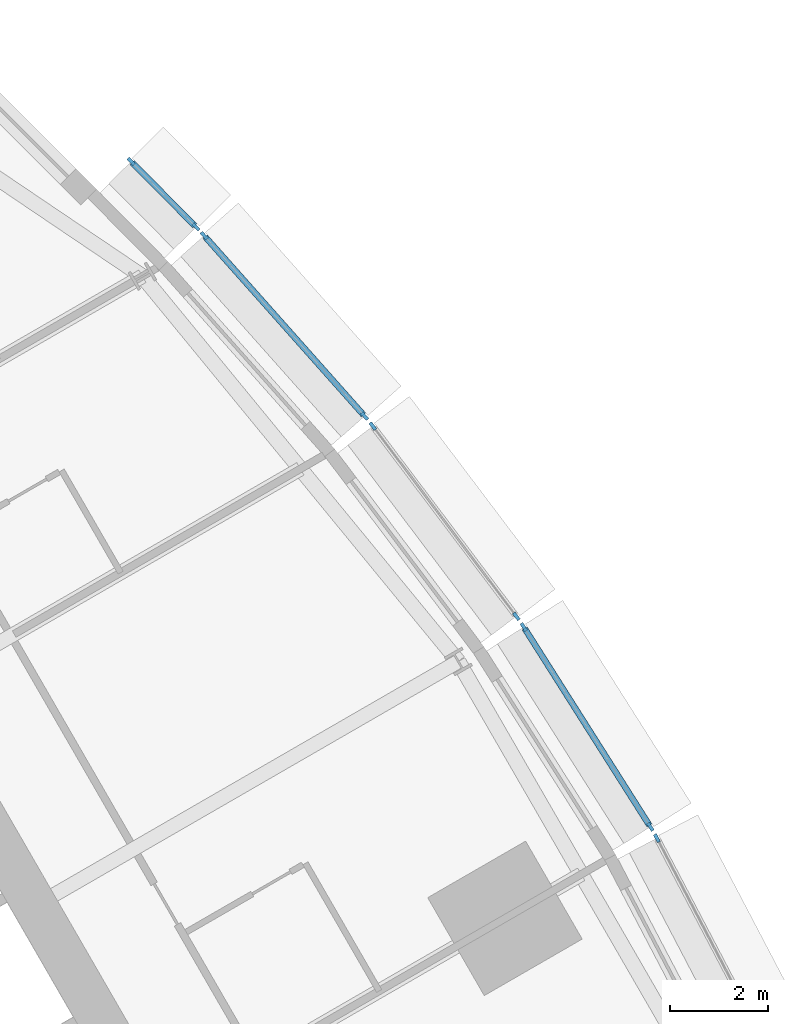
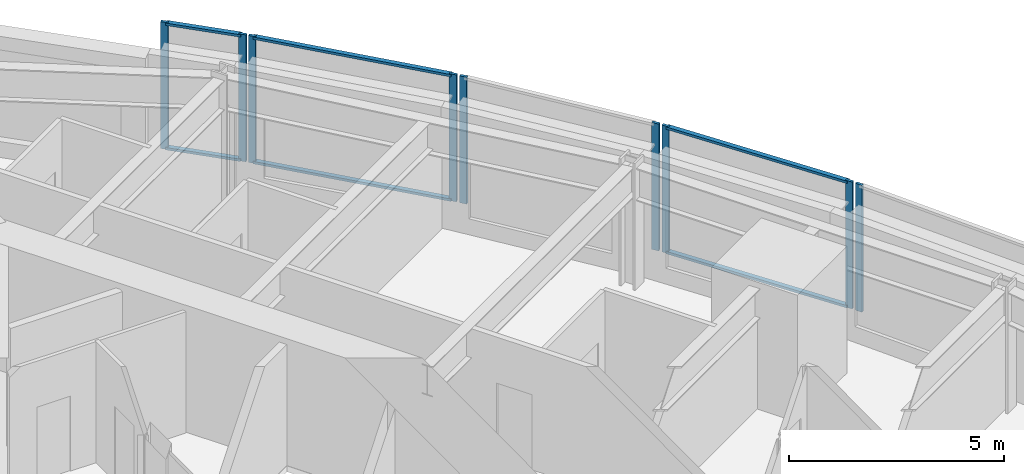
# One storey, part 6 of 15: 15 members, 5 elements without a shape of their own.
"""IFC4 building model written with IfcOpenShell, lengths in metres."""

import ifcopenshell
import ifcopenshell.guid

model = None  # the IFC model being written
_history = None  # IfcOwnerHistory: only IFC2X3 demands one
_inside = {}  # id of a spatial element -> (the spatial element, [elements in it])
_under = {}  # id of a project, library or spatial element -> (it, [spatial elements below it])
_declared = {}  # id of a project -> (the project, [libraries it declares])
_typed = {}  # id of a type object -> (the type object, [elements of that type])
_made_of = {}  # id of a material, layer set ... -> (it, [elements and type objects made of it])


def new_model(schema):
    """Start an empty IFC model of exactly this schema.

    Asked for "IFC4X3", IfcOpenShell would pick the latest addendum, in which some entities
    have other attributes; the version numbers below select the first issue.
    IFC2X3 requires an IfcOwnerHistory on every rooted entity: one is made here for all.
    """
    global model, _history
    if schema == "IFC4X3":
        model = ifcopenshell.file(schema_version=(4, 3, 0, 0))
    else:
        model = ifcopenshell.file(schema=schema)
    _inside.clear()
    _under.clear()
    _declared.clear()
    _typed.clear()
    _made_of.clear()
    _history = None
    if model.schema == "IFC2X3":
        org = make("IfcOrganization", Name="unknown")
        user = make(
            "IfcPersonAndOrganization",
            ThePerson=make("IfcPerson", FamilyName="unknown"),
            TheOrganization=org,
        )
        app = make(
            "IfcApplication",
            ApplicationDeveloper=org,
            Version="unknown",
            ApplicationFullName="unknown",
            ApplicationIdentifier="unknown",
        )
        _history = make(
            "IfcOwnerHistory",
            OwningUser=user,
            OwningApplication=app,
            ChangeAction="ADDED",
            CreationDate=0,
        )
    return model


def make(cls, **values):
    """One entity of the class cls with the attributes given. An attribute that is None is left unset."""
    return model.create_entity(
        cls, **{name: value for name, value in values.items() if value is not None}
    )


def rooted(cls, **values):
    """An entity with a GlobalId (a new one), such as an element, a storey or a relation."""
    return make(cls, GlobalId=ifcopenshell.guid.new(), OwnerHistory=_history, **values)


def si_unit(unit_type, name, prefix=None):
    """IfcSIUnit, for example si_unit("LENGTHUNIT", "METRE", prefix="MILLI")."""
    return make("IfcSIUnit", UnitType=unit_type, Prefix=prefix, Name=name)


def assignment(units):
    """IfcUnitAssignment: the units of a project."""
    return None if units is None else make("IfcUnitAssignment", Units=units)


def point(xyz):
    """IfcCartesianPoint."""
    return None if xyz is None else make("IfcCartesianPoint", Coordinates=xyz)


def direction(xyz):
    """IfcDirection."""
    return None if xyz is None else make("IfcDirection", DirectionRatios=xyz)


def frame(location, z_axis=None, x_axis=None):
    """IfcAxis2Placement3D, a coordinate frame: its origin and axes. An axis left out is left unset."""
    return make(
        "IfcAxis2Placement3D",
        Location=point(location),
        Axis=direction(z_axis),
        RefDirection=direction(x_axis),
    )


def frame_2d(location, x_axis=None):
    """IfcAxis2Placement2D, a coordinate frame in the plane: its origin and x axis."""
    return make(
        "IfcAxis2Placement2D", Location=point(location), RefDirection=direction(x_axis)
    )


def origin():
    """The frame at (0, 0, 0) with its axes left unset."""
    return frame((0.0, 0.0, 0.0))


def origin_2d():
    """The frame at (0, 0) in the plane with its x axis left unset."""
    return frame_2d((0.0, 0.0))


def place(relative_to, where):
    """IfcLocalPlacement: puts the frame where relative to a parent placement (None: the world)."""
    return make(
        "IfcLocalPlacement", PlacementRelTo=relative_to, RelativePlacement=where
    )


def context(
    kind, dimensions, precision=None, world=None, true_north=None, identifier=None
):
    """IfcGeometricRepresentationContext, for example the 3D "Model" context."""
    return make(
        "IfcGeometricRepresentationContext",
        ContextIdentifier=identifier,
        ContextType=kind,
        CoordinateSpaceDimension=dimensions,
        Precision=precision,
        WorldCoordinateSystem=world,
        TrueNorth=true_north,
    )


def subcontext(parent, identifier, kind, view, scale=None):
    """IfcGeometricRepresentationSubContext, for example "Body" below "Model"."""
    return make(
        "IfcGeometricRepresentationSubContext",
        ContextIdentifier=identifier,
        ContextType=kind,
        ParentContext=parent,
        TargetScale=scale,
        TargetView=view,
    )


def project(units=None, contexts=None):
    """IfcProject with its units and contexts."""
    return rooted(
        "IfcProject",
        Name="project",
        RepresentationContexts=contexts,
        UnitsInContext=assignment(units),
    )


def spatial(cls, under=None, at=None, **own):
    """A site, building, storey or space (cls), placed at a placement, below another one or the project."""
    s = rooted(cls, ObjectPlacement=at, **own)
    if under is not None:
        _under.setdefault(under.id(), (under, []))[1].append(s)
    return s


def profile(cls, at=None, kind="AREA", **sizes):
    """A parametric profile (cls). Its sizes go by their IFC names, for example OverallWidth=200.0."""
    return make(cls, ProfileType=kind, Position=at, **sizes)


def rectangle(**sizes):
    """IfcRectangleProfileDef."""
    return profile("IfcRectangleProfileDef", **sizes)


def extrude(swept, where, along, depth):
    """IfcExtrudedAreaSolid: the profile swept, set in the frame where, extruded along a direction by depth."""
    return make(
        "IfcExtrudedAreaSolid",
        SweptArea=swept,
        Position=where,
        ExtrudedDirection=direction(along),
        Depth=depth,
    )


def shape(context_of_items, identifier, shape_type, items):
    """IfcShapeRepresentation: the items that make up one representation, for example the "Body"."""
    return make(
        "IfcShapeRepresentation",
        ContextOfItems=context_of_items,
        RepresentationIdentifier=identifier,
        RepresentationType=shape_type,
        Items=items,
    )


def material(Name=None, Category=None):
    """IfcMaterial."""
    return make("IfcMaterial", Name=Name, Category=Category)


def material_profile(
    of_material, cross_section, Name=None, Category=None, Priority=None
):
    """IfcMaterialProfile: a cross section and its material."""
    return make(
        "IfcMaterialProfile",
        Name=Name,
        Material=of_material,
        Profile=cross_section,
        Priority=Priority,
        Category=Category,
    )


def profile_set(profiles, Name=None, composite=None):
    """IfcMaterialProfileSet."""
    return make(
        "IfcMaterialProfileSet",
        Name=Name,
        MaterialProfiles=profiles,
        CompositeProfile=composite,
    )


def made_of(thing, what):
    """Note that an element or type object is made of a material, layer set ...; save() writes the relation."""
    if what is not None:
        _made_of.setdefault(what.id(), (what, []))[1].append(thing)
    return thing


def type_object(cls, material=None, **own):
    """A type object (cls), such as IfcWallType, which elements share."""
    return made_of(rooted(cls, **own), material)


def element(
    cls,
    number,
    at=None,
    inside=None,
    cuts=None,
    type_object=None,
    material=None,
    context=None,
    identifier="Body",
    shape_type=None,
    held_by="IfcProductDefinitionShape",
    body=None,
    shapes=None,
    **own,
):
    """One element of the class cls, such as IfcWall. Its Tag is "e" and its number.

    at: its placement. inside: the storey or other place that contains it. cuts: it is an
    opening in that element (IfcRelVoidsElement). A single representation is given by context,
    identifier, shape_type and body (its items); several are given by shapes. held_by: the class
    of the entity that holds the representations. save() writes the other relations.
    """
    e = rooted(cls, Tag="e%d" % number, ObjectPlacement=at, **own)
    if body is not None:
        shapes = [shape(context, identifier, shape_type, body)]
    if shapes is not None:
        e.Representation = make(held_by, Representations=shapes)
    if inside is not None:
        _inside.setdefault(inside.id(), (inside, []))[1].append(e)
    if cuts is not None:
        rooted(
            "IfcRelVoidsElement", RelatingBuildingElement=cuts, RelatedOpeningElement=e
        )
    if type_object is not None:
        _typed.setdefault(type_object.id(), (type_object, []))[1].append(e)
    return made_of(e, material)


def aggregate(whole, parts):
    """IfcRelAggregates: a whole, such as a stair, and the parts it consists of."""
    return rooted("IfcRelAggregates", RelatingObject=whole, RelatedObjects=parts)


def save(model, path):
    """Write the relations noted so far, then the file.

    IfcRelAggregates (storeys below a building ...), IfcRelContainedInSpatialStructure (elements
    in a storey), IfcRelDefinesByType, IfcRelAssociatesMaterial and IfcRelDeclares: one each for
    every whole, place, type object, material and project.
    """
    for whole, parts in _under.values():
        aggregate(whole, parts)
    for where, things in _inside.values():
        rooted(
            "IfcRelContainedInSpatialStructure",
            RelatedElements=things,
            RelatingStructure=where,
        )
    for kind, things in _typed.values():
        rooted("IfcRelDefinesByType", RelatedObjects=things, RelatingType=kind)
    for what, things in _made_of.values():
        rooted("IfcRelAssociatesMaterial", RelatedObjects=things, RelatingMaterial=what)
    for by, libraries in _declared.values():
        rooted("IfcRelDeclares", RelatingContext=by, RelatedDefinitions=libraries)
    model.write(path)


model = new_model("IFC4")

# Units and contexts
model_context = context("Model", 3, precision=1e-05, world=origin(), true_north=direction((0.0, 1.0)))
body_context = subcontext(model_context, "Body", "Model", "MODEL_VIEW")
ifc_project = project(units=[si_unit("LENGTHUNIT", "METRE"), si_unit("AREAUNIT", "SQUARE_METRE"), si_unit("VOLUMEUNIT", "CUBIC_METRE"), si_unit("PLANEANGLEUNIT", "RADIAN"), si_unit("MASSUNIT", "GRAM", prefix="KILO")], contexts=[model_context])

# Site, building, storey
site_placement = place(None, origin())
site = spatial("IfcSite", under=ifc_project, at=site_placement, CompositionType="ELEMENT")
building_placement = place(site_placement, origin())
building = spatial("IfcBuilding", under=site, at=building_placement, Name="Trikona Tower", CompositionType="ELEMENT")
storey_placement = place(building_placement, frame((0.0, 0.0, 200.89990234375)))
storey = spatial("IfcBuildingStorey", under=building, at=storey_placement, Name="L53", CompositionType="ELEMENT", Elevation=200.89990234375)

# Curtain wall, member
ifc_material_1 = material(Name="Aluminium curtain wall system", Category="aluminium")
curtain_wall_type = type_object("IfcCurtainWallType", Name="Curtain wall DS3", PredefinedType="NOTDEFINED", material=ifc_material_1)
curtain_wall_1_placement = place(storey_placement, origin())
curtain_wall_1 = element("IfcCurtainWall", 1, at=curtain_wall_1_placement, inside=storey, type_object=curtain_wall_type, Name="Curtain wall DS3 L53", PredefinedType="NOTDEFINED")
ifc_material_2 = material(Name="Aluminium mullion, pale anodised", Category="aluminium")
ifc_material_profile_1 = material_profile(ifc_material_2, rectangle(XDim=0.070068359375, YDim=0.179931640625, at=origin_2d()), Name="MUL-DS3")
ifc_profile_set_1 = profile_set([ifc_material_profile_1], Name="Aluminium mullion, pale anodised")
member_type_1 = type_object("IfcMemberType", Name="Mullion DS3 70x180", PredefinedType="MULLION", material=ifc_profile_set_1)
member_1_placement = place(storey_placement, frame((18.40234375, 10.472412109375, 0.0), z_axis=(0.0, 0.0, 1.0), x_axis=(-0.885862390527, -0.463948084434, 0.0)))
member_1 = element("IfcMember", 2, at=member_1_placement, type_object=member_type_1, Name="CW-DS3 mullion 2", PredefinedType="MULLION", context=body_context, shape_type="SweptSolid", body=[
    extrude(rectangle(XDim=0.070068359375, YDim=0.179931640625, at=origin_2d()), origin(), (0.0, 0.0, 1.0), 3.60009765625),
])
aggregate(curtain_wall_1, [member_1])

# Curtain wall, members
curtain_wall_2_placement = place(storey_placement, origin())
curtain_wall_2 = element("IfcCurtainWall", 3, at=curtain_wall_2_placement, inside=storey, type_object=curtain_wall_type, Name="Curtain wall DS3 L53", PredefinedType="NOTDEFINED")
member_2_placement = place(storey_placement, frame((18.2705078125, 10.700927734375, 0.0), z_axis=(0.0, 0.0, 1.0), x_axis=(-0.844727131858, -0.535197227854, 0.0)))
member_2 = element("IfcMember", 4, at=member_2_placement, type_object=member_type_1, Name="CW-DS3 mullion 1", PredefinedType="MULLION", context=body_context, shape_type="SweptSolid", body=[
    extrude(rectangle(XDim=0.070068359375, YDim=0.179931640625, at=origin_2d()), origin(), (0.0, 0.0, 1.0), 3.60009765625),
])
member_3_placement = place(storey_placement, frame((15.69384765625, 14.767578125, 0.0), z_axis=(0.0, 0.0, 1.0), x_axis=(-0.844727131858, -0.535197227854, 0.0)))
member_3 = element("IfcMember", 5, at=member_3_placement, type_object=member_type_1, Name="CW-DS3 mullion 2", PredefinedType="MULLION", context=body_context, shape_type="SweptSolid", body=[
    extrude(rectangle(XDim=0.070068359375, YDim=0.179931640625, at=origin_2d()), origin(), (0.0, 0.0, 1.0), 3.60009765625),
])

curtain_wall_3_placement = place(storey_placement, origin())
curtain_wall_3 = element("IfcCurtainWall", 6, at=curtain_wall_3_placement, inside=storey, type_object=curtain_wall_type, Name="Curtain wall DS3 L53", PredefinedType="NOTDEFINED")
member_4_placement = place(storey_placement, frame((15.5439453125, 14.984130859375, 0.0), z_axis=(0.0, 0.0, 1.0), x_axis=(-0.798193208724, -0.602401528506, 0.0)))
member_4 = element("IfcMember", 7, at=member_4_placement, type_object=member_type_1, Name="CW-DS3 mullion 1", PredefinedType="MULLION", context=body_context, shape_type="SweptSolid", body=[
    extrude(rectangle(XDim=0.070068359375, YDim=0.179931640625, at=origin_2d()), origin(), (0.0, 0.0, 1.0), 3.60009765625),
])
member_5_placement = place(storey_placement, frame((12.62353515625, 18.853759765625, 0.0), z_axis=(0.0, 0.0, 1.0), x_axis=(-0.798193208724, -0.602401528506, 0.0)))
member_5 = element("IfcMember", 8, at=member_5_placement, type_object=member_type_1, Name="CW-DS3 mullion 2", PredefinedType="MULLION", context=body_context, shape_type="SweptSolid", body=[
    extrude(rectangle(XDim=0.070068359375, YDim=0.179931640625, at=origin_2d()), origin(), (0.0, 0.0, 1.0), 3.60009765625),
])
aggregate(curtain_wall_3, [member_4, member_5])

curtain_wall_4_placement = place(storey_placement, origin())
curtain_wall_4 = element("IfcCurtainWall", 9, at=curtain_wall_4_placement, inside=storey, type_object=curtain_wall_type, Name="Curtain wall DS3 L53", PredefinedType="NOTDEFINED")
member_6_placement = place(storey_placement, frame((12.45751953125, 19.056396484375, 0.0), z_axis=(0.0, 0.0, 1.0), x_axis=(-0.747402677853, -0.664371309689, 0.0)))
member_6 = element("IfcMember", 10, at=member_6_placement, type_object=member_type_1, Name="CW-DS3 mullion 1", PredefinedType="MULLION", context=body_context, shape_type="SweptSolid", body=[
    extrude(rectangle(XDim=0.070068359375, YDim=0.179931640625, at=origin_2d()), origin(), (0.0, 0.0, 1.0), 3.60009765625),
])
member_7_placement = place(storey_placement, frame((9.192138671875, 22.729736328125, 0.0), z_axis=(0.0, 0.0, 1.0), x_axis=(-0.747402677853, -0.664371309689, 0.0)))
member_7 = element("IfcMember", 11, at=member_7_placement, type_object=member_type_1, Name="CW-DS3 mullion 2", PredefinedType="MULLION", context=body_context, shape_type="SweptSolid", body=[
    extrude(rectangle(XDim=0.070068359375, YDim=0.179931640625, at=origin_2d()), origin(), (0.0, 0.0, 1.0), 3.60009765625),
])

curtain_wall_5_placement = place(storey_placement, origin())
curtain_wall_5 = element("IfcCurtainWall", 12, at=curtain_wall_5_placement, inside=storey, type_object=curtain_wall_type, Name="Curtain wall DS3 L53", PredefinedType="NOTDEFINED")
member_8_placement = place(storey_placement, frame((9.028564453125, 22.904052734375, 0.0), z_axis=(0.0, 0.0, 1.0), x_axis=(-0.710051900554, -0.704149343903, 0.0)))
member_8 = element("IfcMember", 13, at=member_8_placement, type_object=member_type_1, Name="CW-DS3 mullion 1", PredefinedType="MULLION", context=body_context, shape_type="SweptSolid", body=[
    extrude(rectangle(XDim=0.070068359375, YDim=0.179931640625, at=origin_2d()), origin(), (0.0, 0.0, 1.0), 3.60009765625),
])
member_9_placement = place(storey_placement, frame((7.7060546875, 24.237548828125, 0.0), z_axis=(0.0, 0.0, 1.0), x_axis=(-0.710051900554, -0.704149343903, 0.0)))
member_9 = element("IfcMember", 14, at=member_9_placement, type_object=member_type_1, Name="CW-DS3 mullion 2", PredefinedType="MULLION", context=body_context, shape_type="SweptSolid", body=[
    extrude(rectangle(XDim=0.070068359375, YDim=0.179931640625, at=origin_2d()), origin(), (0.0, 0.0, 1.0), 3.60009765625),
])

# Member
ifc_material_3 = material(Name="Aluminium transom, pale anodised", Category="aluminium")
ifc_material_profile_2 = material_profile(ifc_material_3, rectangle(XDim=0.1201171875, YDim=0.070068359375, at=origin_2d()), Name="TRN-DS3")
ifc_profile_set_2 = profile_set([ifc_material_profile_2], Name="Aluminium transom, pale anodised")
member_type_2 = type_object("IfcMemberType", Name="Transom DS3 70x120", PredefinedType="USERDEFINED", material=ifc_profile_set_2)
member_10_placement = place(storey_placement, frame((18.251708984375, 10.73046875, 0.03515625), z_axis=(-0.535192866729, 0.844729894938, 0.0), x_axis=(-0.844729894938, -0.535192866729, 0.0)))
member_10 = element("IfcMember", 15, at=member_10_placement, type_object=member_type_2, Name="CW-DS3 transom 1.1", ObjectType="TRANSOM", PredefinedType="USERDEFINED", context=body_context, shape_type="SweptSolid", body=[
    extrude(rectangle(XDim=0.1201171875, YDim=0.070068359375, at=origin_2d()), origin(), (0.0, 0.0, 1.0), 4.744140625),
])

member_11_placement = place(storey_placement, frame((18.251708984375, 10.73046875, 3.565185546875), z_axis=(-0.535192866729, 0.844729894938, 0.0), x_axis=(-0.844729894938, -0.535192866729, 0.0)))
member_11 = element("IfcMember", 16, at=member_11_placement, type_object=member_type_2, Name="CW-DS3 transom 1.2", ObjectType="TRANSOM", PredefinedType="USERDEFINED", context=body_context, shape_type="SweptSolid", body=[
    extrude(rectangle(XDim=0.1201171875, YDim=0.070068359375, at=origin_2d()), origin(), (0.0, 0.0, 1.0), 4.744140625),
])

aggregate(curtain_wall_2, [member_2, member_3, member_10, member_11])

member_12_placement = place(storey_placement, frame((12.43408203125, 19.08251953125, 0.03515625), z_axis=(-0.66436383883, 0.747409318684, 0.0), x_axis=(-0.747409318684, -0.66436383883, 0.0)))
member_12 = element("IfcMember", 17, at=member_12_placement, type_object=member_type_2, Name="CW-DS3 transom 1.1", ObjectType="TRANSOM", PredefinedType="USERDEFINED", context=body_context, shape_type="SweptSolid", body=[
    extrude(rectangle(XDim=0.1201171875, YDim=0.070068359375, at=origin_2d()), origin(), (0.0, 0.0, 1.0), 4.844970703125),
])

member_13_placement = place(storey_placement, frame((12.43408203125, 19.08251953125, 3.565185546875), z_axis=(-0.66436383883, 0.747409318684, 0.0), x_axis=(-0.747409318684, -0.66436383883, 0.0)))
member_13 = element("IfcMember", 18, at=member_13_placement, type_object=member_type_2, Name="CW-DS3 transom 1.2", ObjectType="TRANSOM", PredefinedType="USERDEFINED", context=body_context, shape_type="SweptSolid", body=[
    extrude(rectangle(XDim=0.1201171875, YDim=0.070068359375, at=origin_2d()), origin(), (0.0, 0.0, 1.0), 4.844970703125),
])

aggregate(curtain_wall_4, [member_6, member_7, member_12, member_13])

member_14_placement = place(storey_placement, frame((9.00390625, 22.9287109375, 0.03515625), z_axis=(-0.704130668076, 0.710070420645, 0.0), x_axis=(-0.710070420645, -0.704130668076, 0.0)))
member_14 = element("IfcMember", 19, at=member_14_placement, type_object=member_type_2, Name="CW-DS3 transom 1.1", ObjectType="TRANSOM", PredefinedType="USERDEFINED", context=body_context, shape_type="SweptSolid", body=[
    extrude(rectangle(XDim=0.1201171875, YDim=0.070068359375, at=origin_2d()), origin(), (0.0, 0.0, 1.0), 1.80859375),
])

member_15_placement = place(storey_placement, frame((9.00390625, 22.9287109375, 3.565185546875), z_axis=(-0.704130668076, 0.710070420645, 0.0), x_axis=(-0.710070420645, -0.704130668076, 0.0)))
member_15 = element("IfcMember", 20, at=member_15_placement, type_object=member_type_2, Name="CW-DS3 transom 1.2", ObjectType="TRANSOM", PredefinedType="USERDEFINED", context=body_context, shape_type="SweptSolid", body=[
    extrude(rectangle(XDim=0.1201171875, YDim=0.070068359375, at=origin_2d()), origin(), (0.0, 0.0, 1.0), 1.80859375),
])

aggregate(curtain_wall_5, [member_8, member_9, member_14, member_15])

save(model, "model.ifc")
